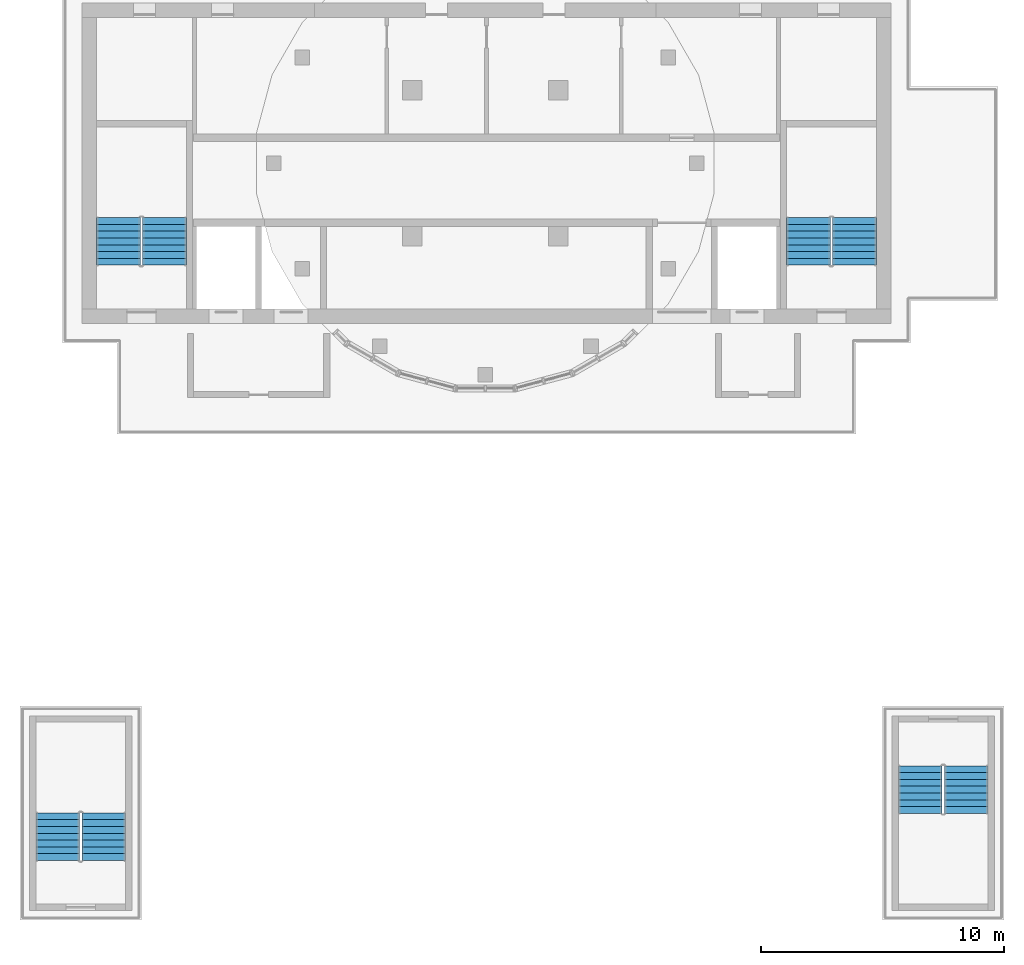
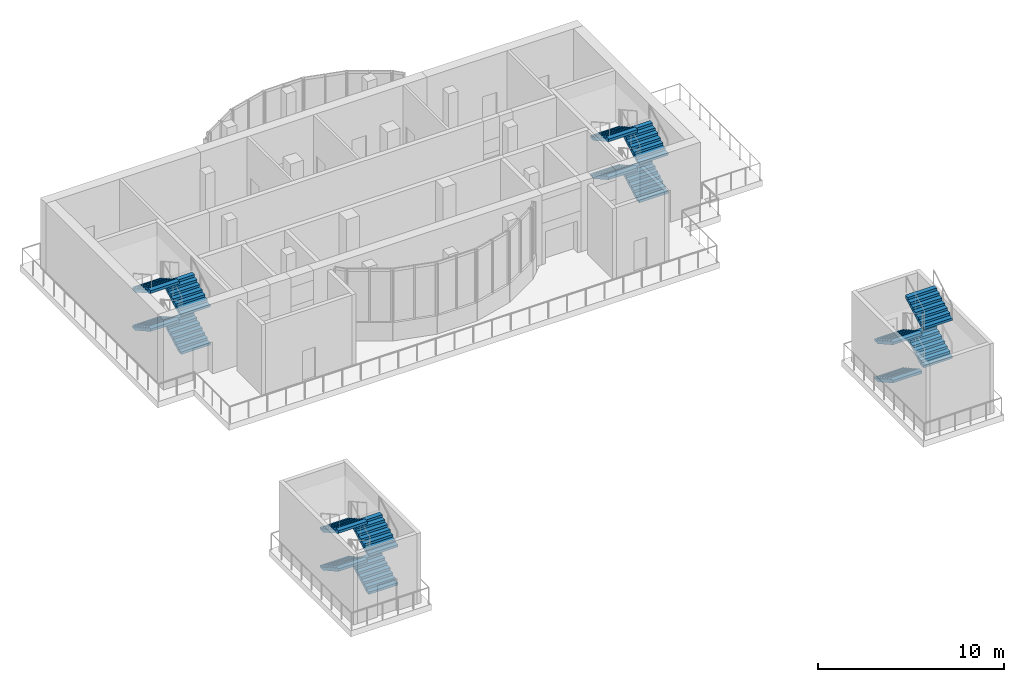
# One storey, part 7 of 10: 16 stair flights, 4 elements without a shape of their own.
"""IFC4 building model written with IfcOpenShell, lengths in metres."""

from ifc_helpers import new_model, si_unit, direction, frame, origin, place, context, subcontext, project, spatial, triangles, source, transform, mapped, material, type_object, element, aggregate, save


model = new_model("IFC4")

# Units and contexts
model_context = context("Model", 3, precision=1e-05, world=origin(), true_north=direction((0.0, 1.0)))
body_context = subcontext(model_context, "Body", "Model", "MODEL_VIEW")
ifc_project = project(units=[si_unit("LENGTHUNIT", "METRE"), si_unit("AREAUNIT", "SQUARE_METRE"), si_unit("VOLUMEUNIT", "CUBIC_METRE"), si_unit("PLANEANGLEUNIT", "RADIAN"), si_unit("MASSUNIT", "GRAM", prefix="KILO")], contexts=[model_context])

# Site, building, storey
site_placement = place(None, origin())
site = spatial("IfcSite", under=ifc_project, at=site_placement, CompositionType="ELEMENT")
building_placement = place(site_placement, origin())
building = spatial("IfcBuilding", under=site, at=building_placement, Name="Kilnfold Tower and Market Hall", CompositionType="ELEMENT")
storey_placement = place(building_placement, frame((0.0, 0.0, 323.800048828125)))
storey = spatial("IfcBuildingStorey", under=building, at=storey_placement, Name="L81 Crown Plant", CompositionType="ELEMENT", Elevation=323.800048828125)

# Stair, stair flights
ifc_material_1 = material(Name="Concrete C40/50", Category="concrete")
stair_type = type_object("IfcStairType", Name="CORE STAIR 1800", PredefinedType="HALF_TURN_STAIR", material=ifc_material_1)
stair_1_placement = place(storey_placement, origin())
stair_1 = element("IfcStair", 1, at=stair_1_placement, inside=storey, type_object=stair_type, Name="L81 Crown Plant ST1", PredefinedType="HALF_TURN_STAIR")
ifc_material_2 = material(Name="Concrete C40/50", Category="concrete")
stair_flight_type = type_object("IfcStairFlightType", Name="CORE STAIR FLIGHT 1800", PredefinedType="STRAIGHT", material=ifc_material_2)
shared_shape = source(origin(), body_context, "Body", "Tessellation", [
    triangles([(0.0, 0.89990234375, 0.0), (0.0, 0.78759765625, 0.0), (0.0, 0.675048828125, 0.0), (0.0, 0.5625, 0.0), (0.0, 0.449951171875, 0.0), (0.0, 0.33740234375, 0.0), (0.0, 0.22509765625, 0.0), (0.0, 0.112548828125, 0.0), (0.0, 0.0, 0.0), (0.0, -0.112548828125, 0.0), (0.0, -0.22509765625, 0.0), (0.0, -0.33740234375, 0.0), (0.0, -0.449951171875, 0.0), (0.0, -0.5625, 0.0), (0.0, -0.675048828125, 0.0), (0.0, -0.78759765625, 0.0), (0.0, -0.89990234375, 0.0), (0.0, 0.89990234375, 0.15625), (0.0, 0.78759765625, 0.15625), (0.0, 0.675048828125, 0.15625), (0.0, 0.5625, 0.15625), (0.0, 0.449951171875, 0.15625), (0.0, 0.33740234375, 0.15625), (0.0, 0.22509765625, 0.15625), (0.0, 0.112548828125, 0.15625), (0.0, 0.0, 0.15625), (0.0, -0.112548828125, 0.15625), (0.0, -0.22509765625, 0.15625), (0.0, -0.33740234375, 0.15625), (0.0, -0.449951171875, 0.15625), (0.0, -0.5625, 0.15625), (0.0, -0.675048828125, 0.15625), (0.0, -0.78759765625, 0.15625), (0.0, -0.89990234375, 0.15625), (0.280029296875, 0.89990234375, 0.15625), (0.280029296875, 0.78759765625, 0.15625), (0.280029296875, 0.675048828125, 0.15625), (0.280029296875, 0.5625, 0.15625), (0.280029296875, 0.449951171875, 0.15625), (0.280029296875, 0.33740234375, 0.15625), (0.280029296875, 0.22509765625, 0.15625), (0.280029296875, 0.112548828125, 0.15625), (0.280029296875, 0.0, 0.15625), (0.280029296875, -0.112548828125, 0.15625), (0.280029296875, -0.22509765625, 0.15625), (0.280029296875, -0.33740234375, 0.15625), (0.280029296875, -0.449951171875, 0.15625), (0.280029296875, -0.5625, 0.15625), (0.280029296875, -0.675048828125, 0.15625), (0.280029296875, -0.78759765625, 0.15625), (0.280029296875, -0.89990234375, 0.15625), (0.280029296875, 0.89990234375, 0.3125), (0.280029296875, 0.78759765625, 0.3125), (0.280029296875, 0.675048828125, 0.3125), (0.280029296875, 0.5625, 0.3125), (0.280029296875, 0.449951171875, 0.3125), (0.280029296875, 0.33740234375, 0.3125), (0.280029296875, 0.22509765625, 0.3125), (0.280029296875, 0.112548828125, 0.3125), (0.280029296875, 0.0, 0.3125), (0.280029296875, -0.112548828125, 0.3125), (0.280029296875, -0.22509765625, 0.3125), (0.280029296875, -0.33740234375, 0.3125), (0.280029296875, -0.449951171875, 0.3125), (0.280029296875, -0.5625, 0.3125), (0.280029296875, -0.675048828125, 0.3125), (0.280029296875, -0.78759765625, 0.3125), (0.280029296875, -0.89990234375, 0.3125), (0.56005859375, 0.89990234375, 0.3125), (0.56005859375, 0.78759765625, 0.3125), (0.56005859375, 0.675048828125, 0.3125), (0.56005859375, 0.5625, 0.3125), (0.56005859375, 0.449951171875, 0.3125), (0.56005859375, 0.33740234375, 0.3125), (0.56005859375, 0.22509765625, 0.3125), (0.56005859375, 0.112548828125, 0.3125), (0.56005859375, 0.0, 0.3125), (0.56005859375, -0.112548828125, 0.3125), (0.56005859375, -0.22509765625, 0.3125), (0.56005859375, -0.33740234375, 0.3125), (0.56005859375, -0.449951171875, 0.3125), (0.56005859375, -0.5625, 0.3125), (0.56005859375, -0.675048828125, 0.3125), (0.56005859375, -0.78759765625, 0.3125), (0.56005859375, -0.89990234375, 0.3125), (0.56005859375, 0.89990234375, 0.46875), (0.56005859375, 0.78759765625, 0.46875), (0.56005859375, 0.675048828125, 0.46875), (0.56005859375, 0.5625, 0.46875), (0.56005859375, 0.449951171875, 0.46875), (0.56005859375, 0.33740234375, 0.46875), (0.56005859375, 0.22509765625, 0.46875), (0.56005859375, 0.112548828125, 0.46875), (0.56005859375, 0.0, 0.46875), (0.56005859375, -0.112548828125, 0.46875), (0.56005859375, -0.22509765625, 0.46875), (0.56005859375, -0.33740234375, 0.46875), (0.56005859375, -0.449951171875, 0.46875), (0.56005859375, -0.5625, 0.46875), (0.56005859375, -0.675048828125, 0.46875), (0.56005859375, -0.78759765625, 0.46875), (0.56005859375, -0.89990234375, 0.46875), (0.840087890625, 0.89990234375, 0.46875), (0.840087890625, 0.78759765625, 0.46875), (0.840087890625, 0.675048828125, 0.46875), (0.840087890625, 0.5625, 0.46875), (0.840087890625, 0.449951171875, 0.46875), (0.840087890625, 0.33740234375, 0.46875), (0.840087890625, 0.22509765625, 0.46875), (0.840087890625, 0.112548828125, 0.46875), (0.840087890625, 0.0, 0.46875), (0.840087890625, -0.112548828125, 0.46875), (0.840087890625, -0.22509765625, 0.46875), (0.840087890625, -0.33740234375, 0.46875), (0.840087890625, -0.449951171875, 0.46875), (0.840087890625, -0.5625, 0.46875), (0.840087890625, -0.675048828125, 0.46875), (0.840087890625, -0.78759765625, 0.46875), (0.840087890625, -0.89990234375, 0.46875), (0.840087890625, 0.89990234375, 0.625), (0.840087890625, 0.78759765625, 0.625), (0.840087890625, 0.675048828125, 0.625), (0.840087890625, 0.5625, 0.625), (0.840087890625, 0.449951171875, 0.625), (0.840087890625, 0.33740234375, 0.625), (0.840087890625, 0.22509765625, 0.625), (0.840087890625, 0.112548828125, 0.625), (0.840087890625, 0.0, 0.625), (0.840087890625, -0.112548828125, 0.625), (0.840087890625, -0.22509765625, 0.625), (0.840087890625, -0.33740234375, 0.625), (0.840087890625, -0.449951171875, 0.625), (0.840087890625, -0.5625, 0.625), (0.840087890625, -0.675048828125, 0.625), (0.840087890625, -0.78759765625, 0.625), (0.840087890625, -0.89990234375, 0.625), (1.1201171875, 0.89990234375, 0.625), (1.1201171875, 0.78759765625, 0.625), (1.1201171875, 0.675048828125, 0.625), (1.1201171875, 0.5625, 0.625), (1.1201171875, 0.449951171875, 0.625), (1.1201171875, 0.33740234375, 0.625), (1.1201171875, 0.22509765625, 0.625), (1.1201171875, 0.112548828125, 0.625), (1.1201171875, 0.0, 0.625), (1.1201171875, -0.112548828125, 0.625), (1.1201171875, -0.22509765625, 0.625), (1.1201171875, -0.33740234375, 0.625), (1.1201171875, -0.449951171875, 0.625), (1.1201171875, -0.5625, 0.625), (1.1201171875, -0.675048828125, 0.625), (1.1201171875, -0.78759765625, 0.625), (1.1201171875, -0.89990234375, 0.625), (1.1201171875, 0.89990234375, 0.78125), (1.1201171875, 0.78759765625, 0.78125), (1.1201171875, 0.675048828125, 0.78125), (1.1201171875, 0.5625, 0.78125), (1.1201171875, 0.449951171875, 0.78125), (1.1201171875, 0.33740234375, 0.78125), (1.1201171875, 0.22509765625, 0.78125), (1.1201171875, 0.112548828125, 0.78125), (1.1201171875, 0.0, 0.78125), (1.1201171875, -0.112548828125, 0.78125), (1.1201171875, -0.22509765625, 0.78125), (1.1201171875, -0.33740234375, 0.78125), (1.1201171875, -0.449951171875, 0.78125), (1.1201171875, -0.5625, 0.78125), (1.1201171875, -0.675048828125, 0.78125), (1.1201171875, -0.78759765625, 0.78125), (1.1201171875, -0.89990234375, 0.78125), (1.39990234375, 0.89990234375, 0.78125), (1.39990234375, 0.78759765625, 0.78125), (1.39990234375, 0.675048828125, 0.78125), (1.39990234375, 0.5625, 0.78125), (1.39990234375, 0.449951171875, 0.78125), (1.39990234375, 0.33740234375, 0.78125), (1.39990234375, 0.22509765625, 0.78125), (1.39990234375, 0.112548828125, 0.78125), (1.39990234375, 0.0, 0.78125), (1.39990234375, -0.112548828125, 0.78125), (1.39990234375, -0.22509765625, 0.78125), (1.39990234375, -0.33740234375, 0.78125), (1.39990234375, -0.449951171875, 0.78125), (1.39990234375, -0.5625, 0.78125), (1.39990234375, -0.675048828125, 0.78125), (1.39990234375, -0.78759765625, 0.78125), (1.39990234375, -0.89990234375, 0.78125), (1.39990234375, 0.89990234375, 0.9375), (1.39990234375, 0.78759765625, 0.9375), (1.39990234375, 0.675048828125, 0.9375), (1.39990234375, 0.5625, 0.9375), (1.39990234375, 0.449951171875, 0.9375), (1.39990234375, 0.33740234375, 0.9375), (1.39990234375, 0.22509765625, 0.9375), (1.39990234375, 0.112548828125, 0.9375), (1.39990234375, 0.0, 0.9375), (1.39990234375, -0.112548828125, 0.9375), (1.39990234375, -0.22509765625, 0.9375), (1.39990234375, -0.33740234375, 0.9375), (1.39990234375, -0.449951171875, 0.9375), (1.39990234375, -0.5625, 0.9375), (1.39990234375, -0.675048828125, 0.9375), (1.39990234375, -0.78759765625, 0.9375), (1.39990234375, -0.89990234375, 0.9375), (1.679931640625, 0.89990234375, 0.9375), (1.679931640625, 0.78759765625, 0.9375), (1.679931640625, 0.675048828125, 0.9375), (1.679931640625, 0.5625, 0.9375), (1.679931640625, 0.449951171875, 0.9375), (1.679931640625, 0.33740234375, 0.9375), (1.679931640625, 0.22509765625, 0.9375), (1.679931640625, 0.112548828125, 0.9375), (1.679931640625, 0.0, 0.9375), (1.679931640625, -0.112548828125, 0.9375), (1.679931640625, -0.22509765625, 0.9375), (1.679931640625, -0.33740234375, 0.9375), (1.679931640625, -0.449951171875, 0.9375), (1.679931640625, -0.5625, 0.9375), (1.679931640625, -0.675048828125, 0.9375), (1.679931640625, -0.78759765625, 0.9375), (1.679931640625, -0.89990234375, 0.9375), (1.679931640625, 0.89990234375, 1.09375), (1.679931640625, 0.78759765625, 1.09375), (1.679931640625, 0.675048828125, 1.09375), (1.679931640625, 0.5625, 1.09375), (1.679931640625, 0.449951171875, 1.09375), (1.679931640625, 0.33740234375, 1.09375), (1.679931640625, 0.22509765625, 1.09375), (1.679931640625, 0.112548828125, 1.09375), (1.679931640625, 0.0, 1.09375), (1.679931640625, -0.112548828125, 1.09375), (1.679931640625, -0.22509765625, 1.09375), (1.679931640625, -0.33740234375, 1.09375), (1.679931640625, -0.449951171875, 1.09375), (1.679931640625, -0.5625, 1.09375), (1.679931640625, -0.675048828125, 1.09375), (1.679931640625, -0.78759765625, 1.09375), (1.679931640625, -0.89990234375, 1.09375), (1.9599609375, 0.89990234375, 1.09375), (1.9599609375, 0.78759765625, 1.09375), (1.9599609375, 0.675048828125, 1.09375), (1.9599609375, 0.5625, 1.09375), (1.9599609375, 0.449951171875, 1.09375), (1.9599609375, 0.33740234375, 1.09375), (1.9599609375, 0.22509765625, 1.09375), (1.9599609375, 0.112548828125, 1.09375), (1.9599609375, 0.0, 1.09375), (1.9599609375, -0.112548828125, 1.09375), (1.9599609375, -0.22509765625, 1.09375), (1.9599609375, -0.33740234375, 1.09375), (1.9599609375, -0.449951171875, 1.09375), (1.9599609375, -0.5625, 1.09375), (1.9599609375, -0.675048828125, 1.09375), (1.9599609375, -0.78759765625, 1.09375), (1.9599609375, -0.89990234375, 1.09375), (1.9599609375, 0.89990234375, 0.922119140625), (1.9599609375, 0.78759765625, 0.922119140625), (1.9599609375, 0.675048828125, 0.922119140625), (1.9599609375, 0.5625, 0.922119140625), (1.9599609375, 0.449951171875, 0.922119140625), (1.9599609375, 0.33740234375, 0.922119140625), (1.9599609375, 0.22509765625, 0.922119140625), (1.9599609375, 0.112548828125, 0.922119140625), (1.9599609375, 0.0, 0.922119140625), (1.9599609375, -0.112548828125, 0.922119140625), (1.9599609375, -0.22509765625, 0.922119140625), (1.9599609375, -0.33740234375, 0.922119140625), (1.9599609375, -0.449951171875, 0.922119140625), (1.9599609375, -0.5625, 0.922119140625), (1.9599609375, -0.675048828125, 0.922119140625), (1.9599609375, -0.78759765625, 0.922119140625), (1.9599609375, -0.89990234375, 0.922119140625), (0.3076171875, 0.89990234375, 0.0), (0.3076171875, 0.78759765625, 0.0), (0.3076171875, 0.675048828125, 0.0), (0.3076171875, 0.5625, 0.0), (0.3076171875, 0.449951171875, 0.0), (0.3076171875, 0.33740234375, 0.0), (0.3076171875, 0.22509765625, 0.0), (0.3076171875, 0.112548828125, 0.0), (0.3076171875, 0.0, 0.0), (0.3076171875, -0.112548828125, 0.0), (0.3076171875, -0.22509765625, 0.0), (0.3076171875, -0.33740234375, 0.0), (0.3076171875, -0.449951171875, 0.0), (0.3076171875, -0.5625, 0.0), (0.3076171875, -0.675048828125, 0.0), (0.3076171875, -0.78759765625, 0.0), (0.3076171875, -0.89990234375, 0.0)], [[1, 256, 273], [17, 289, 272], [256, 222, 239], [272, 255, 238], [256, 205, 222], [272, 238, 221], [256, 188, 205], [272, 221, 204], [256, 171, 188], [272, 204, 187], [171, 137, 154], [187, 170, 153], [256, 137, 171], [272, 187, 153], [137, 103, 120], [153, 136, 119], [256, 103, 137], [272, 153, 119], [103, 69, 86], [119, 102, 85], [256, 69, 103], [272, 119, 85], [69, 35, 52], [85, 68, 51], [256, 35, 69], [272, 85, 51], [1, 35, 256], [17, 272, 51], [35, 1, 18], [51, 34, 17], [1, 19, 18], [1, 2, 19], [2, 20, 19], [2, 3, 20], [3, 21, 20], [3, 4, 21], [4, 22, 21], [4, 5, 22], [5, 23, 22], [5, 6, 23], [6, 24, 23], [6, 7, 24], [7, 25, 24], [7, 8, 25], [8, 26, 25], [8, 9, 26], [9, 27, 26], [9, 10, 27], [10, 28, 27], [10, 11, 28], [11, 29, 28], [11, 12, 29], [12, 30, 29], [12, 13, 30], [13, 31, 30], [13, 14, 31], [14, 32, 31], [14, 15, 32], [15, 33, 32], [15, 16, 33], [16, 34, 33], [16, 17, 34], [18, 36, 35], [18, 19, 36], [19, 37, 36], [19, 20, 37], [20, 38, 37], [20, 21, 38], [21, 39, 38], [21, 22, 39], [22, 40, 39], [22, 23, 40], [23, 41, 40], [23, 24, 41], [24, 42, 41], [24, 25, 42], [25, 43, 42], [25, 26, 43], [26, 44, 43], [26, 27, 44], [27, 45, 44], [27, 28, 45], [28, 46, 45], [28, 29, 46], [29, 47, 46], [29, 30, 47], [30, 48, 47], [30, 31, 48], [31, 49, 48], [31, 32, 49], [32, 50, 49], [32, 33, 50], [33, 51, 50], [33, 34, 51], [35, 53, 52], [35, 36, 53], [36, 54, 53], [36, 37, 54], [37, 55, 54], [37, 38, 55], [38, 56, 55], [38, 39, 56], [39, 57, 56], [39, 40, 57], [40, 58, 57], [40, 41, 58], [41, 59, 58], [41, 42, 59], [42, 60, 59], [42, 43, 60], [43, 61, 60], [43, 44, 61], [44, 62, 61], [44, 45, 62], [45, 63, 62], [45, 46, 63], [46, 64, 63], [46, 47, 64], [47, 65, 64], [47, 48, 65], [48, 66, 65], [48, 49, 66], [49, 67, 66], [49, 50, 67], [50, 68, 67], [50, 51, 68], [52, 70, 69], [52, 53, 70], [53, 71, 70], [53, 54, 71], [54, 72, 71], [54, 55, 72], [55, 73, 72], [55, 56, 73], [56, 74, 73], [56, 57, 74], [57, 75, 74], [57, 58, 75], [58, 76, 75], [58, 59, 76], [59, 77, 76], [59, 60, 77], [60, 78, 77], [60, 61, 78], [61, 79, 78], [61, 62, 79], [62, 80, 79], [62, 63, 80], [63, 81, 80], [63, 64, 81], [64, 82, 81], [64, 65, 82], [65, 83, 82], [65, 66, 83], [66, 84, 83], [66, 67, 84], [67, 85, 84], [67, 68, 85], [69, 87, 86], [69, 70, 87], [70, 88, 87], [70, 71, 88], [71, 89, 88], [71, 72, 89], [72, 90, 89], [72, 73, 90], [73, 91, 90], [73, 74, 91], [74, 92, 91], [74, 75, 92], [75, 93, 92], [75, 76, 93], [76, 94, 93], [76, 77, 94], [77, 95, 94], [77, 78, 95], [78, 96, 95], [78, 79, 96], [79, 97, 96], [79, 80, 97], [80, 98, 97], [80, 81, 98], [81, 99, 98], [81, 82, 99], [82, 100, 99], [82, 83, 100], [83, 101, 100], [83, 84, 101], [84, 102, 101], [84, 85, 102], [86, 104, 103], [86, 87, 104], [87, 105, 104], [87, 88, 105], [88, 106, 105], [88, 89, 106], [89, 107, 106], [89, 90, 107], [90, 108, 107], [90, 91, 108], [91, 109, 108], [91, 92, 109], [92, 110, 109], [92, 93, 110], [93, 111, 110], [93, 94, 111], [94, 112, 111], [94, 95, 112], [95, 113, 112], [95, 96, 113], [96, 114, 113], [96, 97, 114], [97, 115, 114], [97, 98, 115], [98, 116, 115], [98, 99, 116], [99, 117, 116], [99, 100, 117], [100, 118, 117], [100, 101, 118], [101, 119, 118], [101, 102, 119], [103, 121, 120], [103, 104, 121], [104, 122, 121], [104, 105, 122], [105, 123, 122], [105, 106, 123], [106, 124, 123], [106, 107, 124], [107, 125, 124], [107, 108, 125], [108, 126, 125], [108, 109, 126], [109, 127, 126], [109, 110, 127], [110, 128, 127], [110, 111, 128], [111, 129, 128], [111, 112, 129], [112, 130, 129], [112, 113, 130], [113, 131, 130], [113, 114, 131], [114, 132, 131], [114, 115, 132], [115, 133, 132], [115, 116, 133], [116, 134, 133], [116, 117, 134], [117, 135, 134], [117, 118, 135], [118, 136, 135], [118, 119, 136], [120, 138, 137], [120, 121, 138], [121, 139, 138], [121, 122, 139], [122, 140, 139], [122, 123, 140], [123, 141, 140], [123, 124, 141], [124, 142, 141], [124, 125, 142], [125, 143, 142], [125, 126, 143], [126, 144, 143], [126, 127, 144], [127, 145, 144], [127, 128, 145], [128, 146, 145], [128, 129, 146], [129, 147, 146], [129, 130, 147], [130, 148, 147], [130, 131, 148], [131, 149, 148], [131, 132, 149], [132, 150, 149], [132, 133, 150], [133, 151, 150], [133, 134, 151], [134, 152, 151], [134, 135, 152], [135, 153, 152], [135, 136, 153], [137, 155, 154], [137, 138, 155], [138, 156, 155], [138, 139, 156], [139, 157, 156], [139, 140, 157], [140, 158, 157], [140, 141, 158], [141, 159, 158], [141, 142, 159], [142, 160, 159], [142, 143, 160], [143, 161, 160], [143, 144, 161], [144, 162, 161], [144, 145, 162], [145, 163, 162], [145, 146, 163], [146, 164, 163], [146, 147, 164], [147, 165, 164], [147, 148, 165], [148, 166, 165], [148, 149, 166], [149, 167, 166], [149, 150, 167], [150, 168, 167], [150, 151, 168], [151, 169, 168], [151, 152, 169], [152, 170, 169], [152, 153, 170], [154, 172, 171], [154, 155, 172], [155, 173, 172], [155, 156, 173], [156, 174, 173], [156, 157, 174], [157, 175, 174], [157, 158, 175], [158, 176, 175], [158, 159, 176], [159, 177, 176], [159, 160, 177], [160, 178, 177], [160, 161, 178], [161, 179, 178], [161, 162, 179], [162, 180, 179], [162, 163, 180], [163, 181, 180], [163, 164, 181], [164, 182, 181], [164, 165, 182], [165, 183, 182], [165, 166, 183], [166, 184, 183], [166, 167, 184], [167, 185, 184], [167, 168, 185], [168, 186, 185], [168, 169, 186], [169, 187, 186], [169, 170, 187], [171, 189, 188], [171, 172, 189], [172, 190, 189], [172, 173, 190], [173, 191, 190], [173, 174, 191], [174, 192, 191], [174, 175, 192], [175, 193, 192], [175, 176, 193], [176, 194, 193], [176, 177, 194], [177, 195, 194], [177, 178, 195], [178, 196, 195], [178, 179, 196], [179, 197, 196], [179, 180, 197], [180, 198, 197], [180, 181, 198], [181, 199, 198], [181, 182, 199], [182, 200, 199], [182, 183, 200], [183, 201, 200], [183, 184, 201], [184, 202, 201], [184, 185, 202], [185, 203, 202], [185, 186, 203], [186, 204, 203], [186, 187, 204], [188, 206, 205], [188, 189, 206], [189, 207, 206], [189, 190, 207], [190, 208, 207], [190, 191, 208], [191, 209, 208], [191, 192, 209], [192, 210, 209], [192, 193, 210], [193, 211, 210], [193, 194, 211], [194, 212, 211], [194, 195, 212], [195, 213, 212], [195, 196, 213], [196, 214, 213], [196, 197, 214], [197, 215, 214], [197, 198, 215], [198, 216, 215], [198, 199, 216], [199, 217, 216], [199, 200, 217], [200, 218, 217], [200, 201, 218], [201, 219, 218], [201, 202, 219], [202, 220, 219], [202, 203, 220], [203, 221, 220], [203, 204, 221], [205, 223, 222], [205, 206, 223], [206, 224, 223], [206, 207, 224], [207, 225, 224], [207, 208, 225], [208, 226, 225], [208, 209, 226], [209, 227, 226], [209, 210, 227], [210, 228, 227], [210, 211, 228], [211, 229, 228], [211, 212, 229], [212, 230, 229], [212, 213, 230], [213, 231, 230], [213, 214, 231], [214, 232, 231], [214, 215, 232], [215, 233, 232], [215, 216, 233], [216, 234, 233], [216, 217, 234], [217, 235, 234], [217, 218, 235], [218, 236, 235], [218, 219, 236], [219, 237, 236], [219, 220, 237], [220, 238, 237], [220, 221, 238], [222, 240, 239], [222, 223, 240], [223, 241, 240], [223, 224, 241], [224, 242, 241], [224, 225, 242], [225, 243, 242], [225, 226, 243], [226, 244, 243], [226, 227, 244], [227, 245, 244], [227, 228, 245], [228, 246, 245], [228, 229, 246], [229, 247, 246], [229, 230, 247], [230, 248, 247], [230, 231, 248], [231, 249, 248], [231, 232, 249], [232, 250, 249], [232, 233, 250], [233, 251, 250], [233, 234, 251], [234, 252, 251], [234, 235, 252], [235, 253, 252], [235, 236, 253], [236, 254, 253], [236, 237, 254], [237, 255, 254], [237, 238, 255], [239, 257, 256], [239, 240, 257], [240, 258, 257], [240, 241, 258], [241, 259, 258], [241, 242, 259], [242, 260, 259], [242, 243, 260], [243, 261, 260], [243, 244, 261], [244, 262, 261], [244, 245, 262], [245, 263, 262], [245, 246, 263], [246, 264, 263], [246, 247, 264], [247, 265, 264], [247, 248, 265], [248, 266, 265], [248, 249, 266], [249, 267, 266], [249, 250, 267], [250, 268, 267], [250, 251, 268], [251, 269, 268], [251, 252, 269], [252, 270, 269], [252, 253, 270], [253, 271, 270], [253, 254, 271], [254, 272, 271], [254, 255, 272], [256, 274, 273], [256, 257, 274], [257, 275, 274], [257, 258, 275], [258, 276, 275], [258, 259, 276], [259, 277, 276], [259, 260, 277], [260, 278, 277], [260, 261, 278], [261, 279, 278], [261, 262, 279], [262, 280, 279], [262, 263, 280], [263, 281, 280], [263, 264, 281], [264, 282, 281], [264, 265, 282], [265, 283, 282], [265, 266, 283], [266, 284, 283], [266, 267, 284], [267, 285, 284], [267, 268, 285], [268, 286, 285], [268, 269, 286], [269, 287, 286], [269, 270, 287], [270, 288, 287], [270, 271, 288], [271, 289, 288], [271, 272, 289], [273, 2, 1], [273, 274, 2], [274, 3, 2], [274, 275, 3], [275, 4, 3], [275, 276, 4], [276, 5, 4], [276, 277, 5], [277, 6, 5], [277, 278, 6], [278, 7, 6], [278, 279, 7], [279, 8, 7], [279, 280, 8], [280, 9, 8], [280, 281, 9], [281, 10, 9], [281, 282, 10], [282, 11, 10], [282, 283, 11], [283, 12, 11], [283, 284, 12], [284, 13, 12], [284, 285, 13], [285, 14, 13], [285, 286, 14], [286, 15, 14], [286, 287, 15], [287, 16, 15], [287, 288, 16], [288, 17, 16], [288, 289, 17]], closed=True),
])
stair_flight_1_placement = place(storey_placement, frame((-12.199951171875, 10.800048828125, 0.0), z_axis=(0.0, 0.0, 1.0), x_axis=(0.0, 1.0, 0.0)))
stair_flight_1 = element("IfcStairFlight", 2, at=stair_flight_1_placement, type_object=stair_flight_type, Name="ST1 flight 1", NumberOfRisers=8, NumberOfTreads=7, PredefinedType="STRAIGHT", RiserHeight=0.15625, TreadLength=0.28, context=body_context, shape_type="MappedRepresentation", body=[
    mapped(shared_shape, transform((0.0, 0.0, 0.0))),
])
stair_flight_2_placement = place(storey_placement, frame((-14.10009765625, 12.760009765625, 1.25), z_axis=(0.0, 0.0, 1.0), x_axis=(0.0, -1.0, 0.0)))
stair_flight_2 = element("IfcStairFlight", 3, at=stair_flight_2_placement, type_object=stair_flight_type, Name="ST1 flight 2", NumberOfRisers=8, NumberOfTreads=7, PredefinedType="STRAIGHT", RiserHeight=0.15625, TreadLength=0.28, context=body_context, shape_type="MappedRepresentation", body=[
    mapped(shared_shape, transform((0.0, 0.0, 0.0))),
])
stair_flight_3_placement = place(storey_placement, frame((-12.199951171875, 10.800048828125, 2.5), z_axis=(0.0, 0.0, 1.0), x_axis=(0.0, 1.0, 0.0)))
stair_flight_3 = element("IfcStairFlight", 4, at=stair_flight_3_placement, type_object=stair_flight_type, Name="ST1 flight 3", NumberOfRisers=8, NumberOfTreads=7, PredefinedType="STRAIGHT", RiserHeight=0.15625, TreadLength=0.28, context=body_context, shape_type="MappedRepresentation", body=[
    mapped(shared_shape, transform((0.0, 0.0, 0.0))),
])
stair_flight_4_placement = place(storey_placement, frame((-14.10009765625, 12.760009765625, 3.75), z_axis=(0.0, 0.0, 1.0), x_axis=(0.0, -1.0, 0.0)))
stair_flight_4 = element("IfcStairFlight", 5, at=stair_flight_4_placement, type_object=stair_flight_type, Name="ST1 flight 4", NumberOfRisers=8, NumberOfTreads=7, PredefinedType="STRAIGHT", RiserHeight=0.15625, TreadLength=0.28, context=body_context, shape_type="MappedRepresentation", body=[
    mapped(shared_shape, transform((0.0, 0.0, 0.0))),
])
aggregate(stair_1, [stair_flight_1, stair_flight_2, stair_flight_3, stair_flight_4])

stair_2_placement = place(storey_placement, origin())
stair_2 = element("IfcStair", 6, at=stair_2_placement, inside=storey, type_object=stair_type, Name="L81 Crown Plant ST2", PredefinedType="HALF_TURN_STAIR")
stair_flight_5_placement = place(storey_placement, frame((16.199951171875, 10.800048828125, 0.0), z_axis=(0.0, 0.0, 1.0), x_axis=(0.0, 1.0, 0.0)))
stair_flight_5 = element("IfcStairFlight", 7, at=stair_flight_5_placement, type_object=stair_flight_type, Name="ST2 flight 1", NumberOfRisers=8, NumberOfTreads=7, PredefinedType="STRAIGHT", RiserHeight=0.15625, TreadLength=0.28, context=body_context, shape_type="MappedRepresentation", body=[
    mapped(shared_shape, transform((0.0, 0.0, 0.0))),
])
stair_flight_6_placement = place(storey_placement, frame((14.300048828125, 12.760009765625, 1.25), z_axis=(0.0, 0.0, 1.0), x_axis=(0.0, -1.0, 0.0)))
stair_flight_6 = element("IfcStairFlight", 8, at=stair_flight_6_placement, type_object=stair_flight_type, Name="ST2 flight 2", NumberOfRisers=8, NumberOfTreads=7, PredefinedType="STRAIGHT", RiserHeight=0.15625, TreadLength=0.28, context=body_context, shape_type="MappedRepresentation", body=[
    mapped(shared_shape, transform((0.0, 0.0, 0.0))),
])
stair_flight_7_placement = place(storey_placement, frame((16.199951171875, 10.800048828125, 2.5), z_axis=(0.0, 0.0, 1.0), x_axis=(0.0, 1.0, 0.0)))
stair_flight_7 = element("IfcStairFlight", 9, at=stair_flight_7_placement, type_object=stair_flight_type, Name="ST2 flight 3", NumberOfRisers=8, NumberOfTreads=7, PredefinedType="STRAIGHT", RiserHeight=0.15625, TreadLength=0.28, context=body_context, shape_type="MappedRepresentation", body=[
    mapped(shared_shape, transform((0.0, 0.0, 0.0))),
])
stair_flight_8_placement = place(storey_placement, frame((14.300048828125, 12.760009765625, 3.75), z_axis=(0.0, 0.0, 1.0), x_axis=(0.0, -1.0, 0.0)))
stair_flight_8 = element("IfcStairFlight", 10, at=stair_flight_8_placement, type_object=stair_flight_type, Name="ST2 flight 4", NumberOfRisers=8, NumberOfTreads=7, PredefinedType="STRAIGHT", RiserHeight=0.15625, TreadLength=0.28, context=body_context, shape_type="MappedRepresentation", body=[
    mapped(shared_shape, transform((0.0, 0.0, 0.0))),
])
aggregate(stair_2, [stair_flight_5, stair_flight_6, stair_flight_7, stair_flight_8])

stair_3_placement = place(storey_placement, origin())
stair_3 = element("IfcStair", 11, at=stair_3_placement, inside=storey, type_object=stair_type, Name="L81 Crown Plant ST3", PredefinedType="HALF_TURN_STAIR")
stair_flight_9_placement = place(storey_placement, frame((-14.699951171875, -13.699951171875, 0.0), z_axis=(0.0, 0.0, 1.0), x_axis=(0.0, 1.0, 0.0)))
stair_flight_9 = element("IfcStairFlight", 12, at=stair_flight_9_placement, type_object=stair_flight_type, Name="ST3 flight 1", NumberOfRisers=8, NumberOfTreads=7, PredefinedType="STRAIGHT", RiserHeight=0.15625, TreadLength=0.28, context=body_context, shape_type="MappedRepresentation", body=[
    mapped(shared_shape, transform((0.0, 0.0, 0.0))),
])
stair_flight_10_placement = place(storey_placement, frame((-16.60009765625, -11.739990234375, 1.25), z_axis=(0.0, 0.0, 1.0), x_axis=(0.0, -1.0, 0.0)))
stair_flight_10 = element("IfcStairFlight", 13, at=stair_flight_10_placement, type_object=stair_flight_type, Name="ST3 flight 2", NumberOfRisers=8, NumberOfTreads=7, PredefinedType="STRAIGHT", RiserHeight=0.15625, TreadLength=0.28, context=body_context, shape_type="MappedRepresentation", body=[
    mapped(shared_shape, transform((0.0, 0.0, 0.0))),
])
stair_flight_11_placement = place(storey_placement, frame((-14.699951171875, -13.699951171875, 2.5), z_axis=(0.0, 0.0, 1.0), x_axis=(0.0, 1.0, 0.0)))
stair_flight_11 = element("IfcStairFlight", 14, at=stair_flight_11_placement, type_object=stair_flight_type, Name="ST3 flight 3", NumberOfRisers=8, NumberOfTreads=7, PredefinedType="STRAIGHT", RiserHeight=0.15625, TreadLength=0.28, context=body_context, shape_type="MappedRepresentation", body=[
    mapped(shared_shape, transform((0.0, 0.0, 0.0))),
])
stair_flight_12_placement = place(storey_placement, frame((-16.60009765625, -11.739990234375, 3.75), z_axis=(0.0, 0.0, 1.0), x_axis=(0.0, -1.0, 0.0)))
stair_flight_12 = element("IfcStairFlight", 15, at=stair_flight_12_placement, type_object=stair_flight_type, Name="ST3 flight 4", NumberOfRisers=8, NumberOfTreads=7, PredefinedType="STRAIGHT", RiserHeight=0.15625, TreadLength=0.28, context=body_context, shape_type="MappedRepresentation", body=[
    mapped(shared_shape, transform((0.0, 0.0, 0.0))),
])
aggregate(stair_3, [stair_flight_9, stair_flight_10, stair_flight_11, stair_flight_12])

stair_4_placement = place(storey_placement, origin())
stair_4 = element("IfcStair", 16, at=stair_4_placement, inside=storey, type_object=stair_type, Name="L81 Crown Plant ST4", PredefinedType="HALF_TURN_STAIR")
stair_flight_13_placement = place(storey_placement, frame((18.89990234375, -9.800048828125, 0.0), z_axis=(0.0, 0.0, 1.0), x_axis=(0.0, -1.0, 0.0)))
stair_flight_13 = element("IfcStairFlight", 17, at=stair_flight_13_placement, type_object=stair_flight_type, Name="ST4 flight 1", NumberOfRisers=8, NumberOfTreads=7, PredefinedType="STRAIGHT", RiserHeight=0.15625, TreadLength=0.28, context=body_context, shape_type="MappedRepresentation", body=[
    mapped(shared_shape, transform((0.0, 0.0, 0.0))),
])
stair_flight_14_placement = place(storey_placement, frame((20.800048828125, -11.760009765625, 1.25), z_axis=(0.0, 0.0, 1.0), x_axis=(0.0, 1.0, 0.0)))
stair_flight_14 = element("IfcStairFlight", 18, at=stair_flight_14_placement, type_object=stair_flight_type, Name="ST4 flight 2", NumberOfRisers=8, NumberOfTreads=7, PredefinedType="STRAIGHT", RiserHeight=0.15625, TreadLength=0.28, context=body_context, shape_type="MappedRepresentation", body=[
    mapped(shared_shape, transform((0.0, 0.0, 0.0))),
])
stair_flight_15_placement = place(storey_placement, frame((18.89990234375, -9.800048828125, 2.5), z_axis=(0.0, 0.0, 1.0), x_axis=(0.0, -1.0, 0.0)))
stair_flight_15 = element("IfcStairFlight", 19, at=stair_flight_15_placement, type_object=stair_flight_type, Name="ST4 flight 3", NumberOfRisers=8, NumberOfTreads=7, PredefinedType="STRAIGHT", RiserHeight=0.15625, TreadLength=0.28, context=body_context, shape_type="MappedRepresentation", body=[
    mapped(shared_shape, transform((0.0, 0.0, 0.0))),
])
stair_flight_16_placement = place(storey_placement, frame((20.800048828125, -11.760009765625, 3.75), z_axis=(0.0, 0.0, 1.0), x_axis=(0.0, 1.0, 0.0)))
stair_flight_16 = element("IfcStairFlight", 20, at=stair_flight_16_placement, type_object=stair_flight_type, Name="ST4 flight 4", NumberOfRisers=8, NumberOfTreads=7, PredefinedType="STRAIGHT", RiserHeight=0.15625, TreadLength=0.28, context=body_context, shape_type="MappedRepresentation", body=[
    mapped(shared_shape, transform((0.0, 0.0, 0.0))),
])
aggregate(stair_4, [stair_flight_13, stair_flight_14, stair_flight_15, stair_flight_16])

save(model, "model.ifc")
